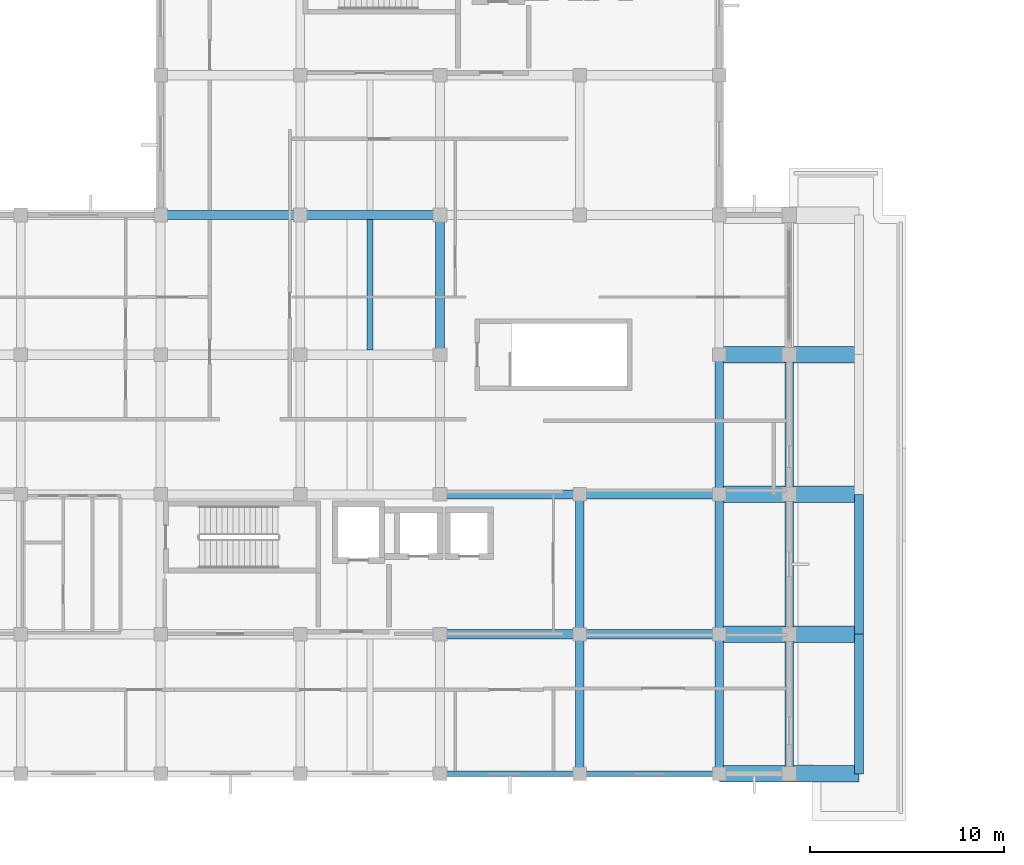
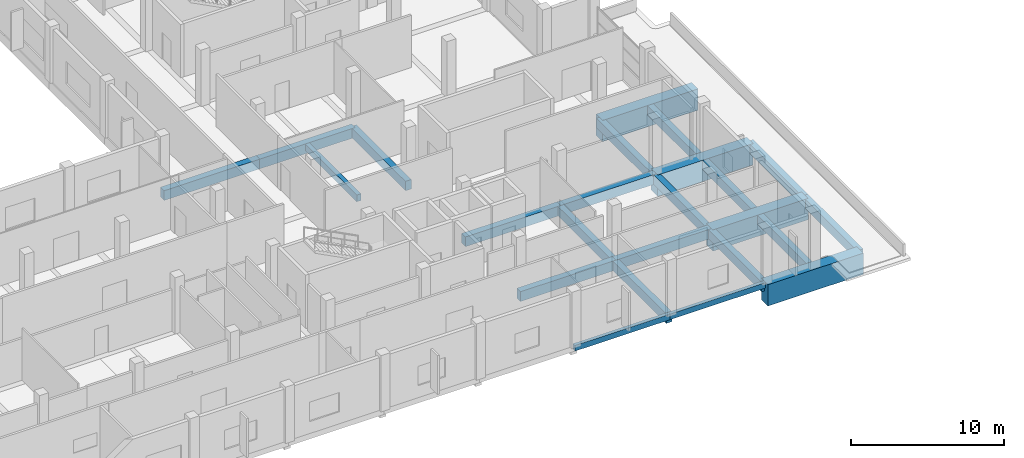
# One storey, part 3 of 24: 24 beams.
"""IFC4 building model written with IfcOpenShell, lengths in metres."""

from ifc_helpers import new_model, si_unit, direction, frame, origin, origin_2d, place, context, subcontext, project, spatial, rectangle, extrude, material, material_profile, profile_set, type_object, element, save


model = new_model("IFC4")

# Units and contexts
model_context = context("Model", 3, precision=1e-05, world=origin(), true_north=direction((0.0, 1.0)))
body_context = subcontext(model_context, "Body", "Model", "MODEL_VIEW")
ifc_project = project(units=[si_unit("LENGTHUNIT", "METRE"), si_unit("AREAUNIT", "SQUARE_METRE"), si_unit("VOLUMEUNIT", "CUBIC_METRE"), si_unit("PLANEANGLEUNIT", "RADIAN"), si_unit("MASSUNIT", "GRAM", prefix="KILO")], contexts=[model_context])

# Site, building, storey
site_placement = place(None, origin())
site = spatial("IfcSite", under=ifc_project, at=site_placement, CompositionType="ELEMENT")
building_placement = place(site_placement, origin())
building = spatial("IfcBuilding", under=site, at=building_placement, Name="Seraya Terrace Polytechnic", CompositionType="ELEMENT")
storey_placement = place(building_placement, frame((0.0, 0.0, 18.89990234375)))
storey = spatial("IfcBuildingStorey", under=building, at=storey_placement, Name="L04", CompositionType="ELEMENT", Elevation=18.89990234375)

# Beams
ifc_material = material(Name="Concrete C40/50", Category="concrete")
ifc_material_profile_1 = material_profile(ifc_material, rectangle(XDim=0.47998046875, YDim=0.780029296875, at=origin_2d()), Name="RC 480x780")
ifc_profile_set_1 = profile_set([ifc_material_profile_1], Name="Concrete C40/50")
beam_type_1 = type_object("IfcBeamType", Name="BM-06", PredefinedType="BEAM", material=ifc_profile_set_1)
for number, where, z_axis, x_axis, name in (
    (1, (93.60009765625, 7.199951171875, -0.389892578125), (1.0, 0.0, 0.0), (0.0, 1.0, 0.0), "Beam BM-06 L04 X (93.6..100.8, 7.2)"),
    (2, (100.800048828125, 7.199951171875, -0.389892578125), (1.0, 0.0, 0.0), (0.0, 1.0, 0.0), "Beam BM-06 L04 X (100.8..108.0, 7.2)"),
    (3, (93.60009765625, 14.39990234375, -0.389892578125), (1.0, 0.0, 0.0), (0.0, 1.0, 0.0), "Beam BM-06 L04 X (93.6..100.8, 14.4)"),
    (4, (100.800048828125, 14.39990234375, -0.389892578125), (1.0, 0.0, 0.0), (0.0, 1.0, 0.0), "Beam BM-06 L04 X (100.8..108.0, 14.4)"),
    (5, (79.199951171875, 28.800048828125, -0.389892578125), (1.0, 0.0, 0.0), (0.0, 1.0, 0.0), "Beam BM-06 L04 X (79.2..86.4, 28.8)"),
):
    element("IfcBeam", number, at=place(storey_placement, frame(where, z_axis=z_axis, x_axis=x_axis)), inside=storey, type_object=beam_type_1, Name=name, PredefinedType="BEAM", context=body_context, shape_type="SweptSolid", body=[
        extrude(rectangle(XDim=0.47998046875, YDim=0.780029296875, at=origin_2d()), origin(), (0.0, 0.0, 1.0), 7.199951171875),
    ])
beam_1_placement = place(storey_placement, frame((86.39990234375, 28.800048828125, -0.389892578125), z_axis=(1.0, 0.0, 0.0), x_axis=(0.0, 1.0, 0.0)))
element("IfcBeam", 6, at=beam_1_placement, inside=storey, type_object=beam_type_1, Name="Beam BM-06 L04 X (86.4..93.6, 28.8)", PredefinedType="BEAM", context=body_context, shape_type="SweptSolid", body=[
    extrude(rectangle(XDim=0.47998046875, YDim=0.780029296875, at=origin_2d()), origin(), (0.0, 0.0, 1.0), 7.2001953125),
])
ifc_material_profile_2 = material_profile(ifc_material, rectangle(XDim=0.449951171875, YDim=0.75, at=origin_2d()), Name="RC 450x750")
ifc_profile_set_2 = profile_set([ifc_material_profile_2], Name="Concrete C40/50")
beam_type_2 = type_object("IfcBeamType", Name="BM-08", PredefinedType="BEAM", material=ifc_profile_set_2)
for number, where, z_axis, x_axis, name in (
    (7, (93.60009765625, 21.60009765625, -0.375), (0.0, 1.0, 0.0), (-1.0, 0.0, 0.0), "Beam BM-08 L04 Y (93.6, 21.6..28.8)"),
    (8, (100.800048828125, 0.0, -0.375), (0.0, 1.0, 0.0), (-1.0, 0.0, 0.0), "Beam BM-08 L04 Y (100.8, 0.0..7.2)"),
    (9, (100.800048828125, 7.199951171875, -0.375), (0.0, 1.0, 0.0), (-1.0, 0.0, 0.0), "Beam BM-08 L04 Y (100.8, 7.2..14.4)"),
    (10, (108.0, 0.0, -0.375), (0.0, 1.0, 0.0), (-1.0, 0.0, 0.0), "Beam BM-08 L04 Y (108.0, 0.0..7.2)"),
    (11, (108.0, 7.199951171875, -0.375), (0.0, 1.0, 0.0), (-1.0, 0.0, 0.0), "Beam BM-08 L04 Y (108.0, 7.2..14.4)"),
):
    element("IfcBeam", number, at=place(storey_placement, frame(where, z_axis=z_axis, x_axis=x_axis)), inside=storey, type_object=beam_type_2, Name=name, PredefinedType="BEAM", context=body_context, shape_type="SweptSolid", body=[
        extrude(rectangle(XDim=0.449951171875, YDim=0.75, at=origin_2d()), origin(), (0.0, 0.0, 1.0), 7.199951171875),
    ])
beam_2_placement = place(storey_placement, frame((108.0, 14.39990234375, -0.375), z_axis=(0.0, 1.0, 0.0), x_axis=(-1.0, 0.0, 0.0)))
element("IfcBeam", 12, at=beam_2_placement, inside=storey, type_object=beam_type_2, Name="Beam BM-08 L04 Y (108.0, 14.4..21.6)", PredefinedType="BEAM", context=body_context, shape_type="SweptSolid", body=[
    extrude(rectangle(XDim=0.449951171875, YDim=0.75, at=origin_2d()), origin(), (0.0, 0.0, 1.0), 7.2001953125),
])
for number, where, z_axis, x_axis, name in (
    (13, (111.60009765625, 0.0, -0.375), (0.0, 1.0, 0.0), (-1.0, 0.0, 0.0), "Beam BM-08 L04 Y (111.6, 0.0..7.2)"),
    (14, (111.60009765625, 7.199951171875, -0.375), (0.0, 1.0, 0.0), (-1.0, 0.0, 0.0), "Beam BM-08 L04 Y (111.6, 7.2..14.4)"),
):
    element("IfcBeam", number, at=place(storey_placement, frame(where, z_axis=z_axis, x_axis=x_axis)), inside=storey, type_object=beam_type_2, Name=name, PredefinedType="BEAM", context=body_context, shape_type="SweptSolid", body=[
        extrude(rectangle(XDim=0.449951171875, YDim=0.75, at=origin_2d()), origin(), (0.0, 0.0, 1.0), 7.199951171875),
    ])
beam_3_placement = place(storey_placement, frame((111.60009765625, 14.39990234375, -0.375), z_axis=(0.0, 1.0, 0.0), x_axis=(-1.0, 0.0, 0.0)))
element("IfcBeam", 15, at=beam_3_placement, inside=storey, type_object=beam_type_2, Name="Beam BM-08 L04 Y (111.6, 14.4..21.6)", PredefinedType="BEAM", context=body_context, shape_type="SweptSolid", body=[
    extrude(rectangle(XDim=0.449951171875, YDim=0.75, at=origin_2d()), origin(), (0.0, 0.0, 1.0), 7.2001953125),
])
for number, where, z_axis, x_axis, name in (
    (16, (115.199951171875, 0.0, -0.375), (0.0, 1.0, 0.0), (-1.0, 0.0, 0.0), "Beam BM-08 L04 Y (115.2, 0.0..7.2)"),
    (17, (115.199951171875, 7.199951171875, -0.375), (0.0, 1.0, 0.0), (-1.0, 0.0, 0.0), "Beam BM-08 L04 Y (115.2, 7.2..14.4)"),
):
    element("IfcBeam", number, at=place(storey_placement, frame(where, z_axis=z_axis, x_axis=x_axis)), inside=storey, type_object=beam_type_2, Name=name, PredefinedType="BEAM", context=body_context, shape_type="SweptSolid", body=[
        extrude(rectangle(XDim=0.449951171875, YDim=0.75, at=origin_2d()), origin(), (0.0, 0.0, 1.0), 7.199951171875),
    ])
ifc_material_profile_3 = material_profile(ifc_material, rectangle(XDim=0.320068359375, YDim=0.5400390625, at=origin_2d()), Name="RC 320x540")
ifc_profile_set_3 = profile_set([ifc_material_profile_3], Name="Concrete C40/50")
beam_type_3 = type_object("IfcBeamType", Name="JS-04", PredefinedType="JOIST", material=ifc_profile_set_3)
beam_4_placement = place(storey_placement, frame((90.0, 21.840087890625, -0.27001953125), z_axis=(0.0, 1.0, 0.0), x_axis=(-1.0, 0.0, 0.0)))
element("IfcBeam", 18, at=beam_4_placement, inside=storey, type_object=beam_type_3, Name="Secondary joist JS-04 L04", PredefinedType="JOIST", context=body_context, shape_type="SweptSolid", body=[
    extrude(rectangle(XDim=0.320068359375, YDim=0.5400390625, at=origin_2d()), origin(), (0.0, 0.0, 1.0), 6.719970703125),
])
ifc_material_profile_4 = material_profile(ifc_material, rectangle(XDim=0.260009765625, YDim=0.43994140625, at=origin_2d()), Name="RC 260x440")
ifc_profile_set_4 = profile_set([ifc_material_profile_4], Name="Concrete C40/50")
beam_type_4 = type_object("IfcBeamType", Name="SP-02", PredefinedType="SPANDREL", material=ifc_profile_set_4)
for number, where, z_axis, x_axis, name in (
    (19, (93.60009765625, 0.0, -0.219970703125), (1.0, 0.0, 0.0), (0.0, 1.0, 0.0), "Beam SP-02 L04 X (93.6..100.8, 0.0)"),
    (20, (100.800048828125, 0.0, -0.219970703125), (1.0, 0.0, 0.0), (0.0, 1.0, 0.0), "Beam SP-02 L04 X (100.8..108.0, 0.0)"),
):
    element("IfcBeam", number, at=place(storey_placement, frame(where, z_axis=z_axis, x_axis=x_axis)), inside=storey, type_object=beam_type_4, Name=name, PredefinedType="SPANDREL", context=body_context, shape_type="SweptSolid", body=[
        extrude(rectangle(XDim=0.260009765625, YDim=0.43994140625, at=origin_2d()), origin(), (0.0, 0.0, 1.0), 7.199951171875),
    ])
ifc_material_profile_5 = material_profile(ifc_material, rectangle(XDim=0.85009765625, YDim=1.699951171875, at=origin_2d()), Name="RC 850x1700")
ifc_profile_set_5 = profile_set([ifc_material_profile_5], Name="Concrete C40/50")
beam_type_5 = type_object("IfcBeamType", Name="TG-02", PredefinedType="USERDEFINED", material=ifc_profile_set_5)
for number, where, z_axis, x_axis, name in (
    (21, (108.0, 0.0, -0.849853515625), (1.0, 0.0, 0.0), (0.0, 1.0, 0.0), "Transfer girder TG-02 L04 #28"),
    (22, (108.0, 7.199951171875, -0.849853515625), (1.0, 0.0, 0.0), (0.0, 1.0, 0.0), "Transfer girder TG-02 L04 #29"),
    (23, (108.0, 14.39990234375, -0.849853515625), (1.0, 0.0, 0.0), (0.0, 1.0, 0.0), "Transfer girder TG-02 L04 #30"),
    (24, (108.0, 21.60009765625, -0.849853515625), (1.0, 0.0, 0.0), (0.0, 1.0, 0.0), "Transfer girder TG-02 L04 #31"),
):
    element("IfcBeam", number, at=place(storey_placement, frame(where, z_axis=z_axis, x_axis=x_axis)), inside=storey, type_object=beam_type_5, Name=name, ObjectType="GIRDER", PredefinedType="USERDEFINED", context=body_context, shape_type="SweptSolid", body=[
        extrude(rectangle(XDim=0.85009765625, YDim=1.699951171875, at=origin_2d()), origin(), (0.0, 0.0, 1.0), 7.199951171875),
    ])

save(model, "model.ifc")
